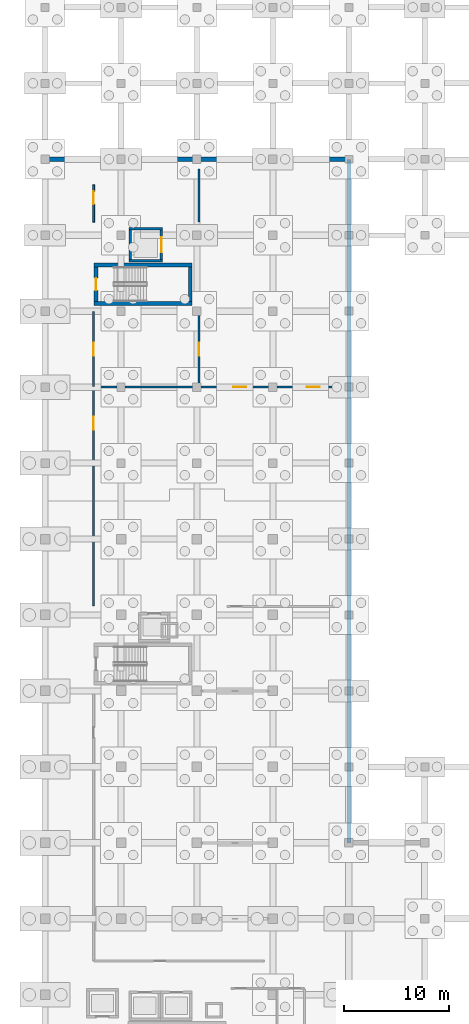
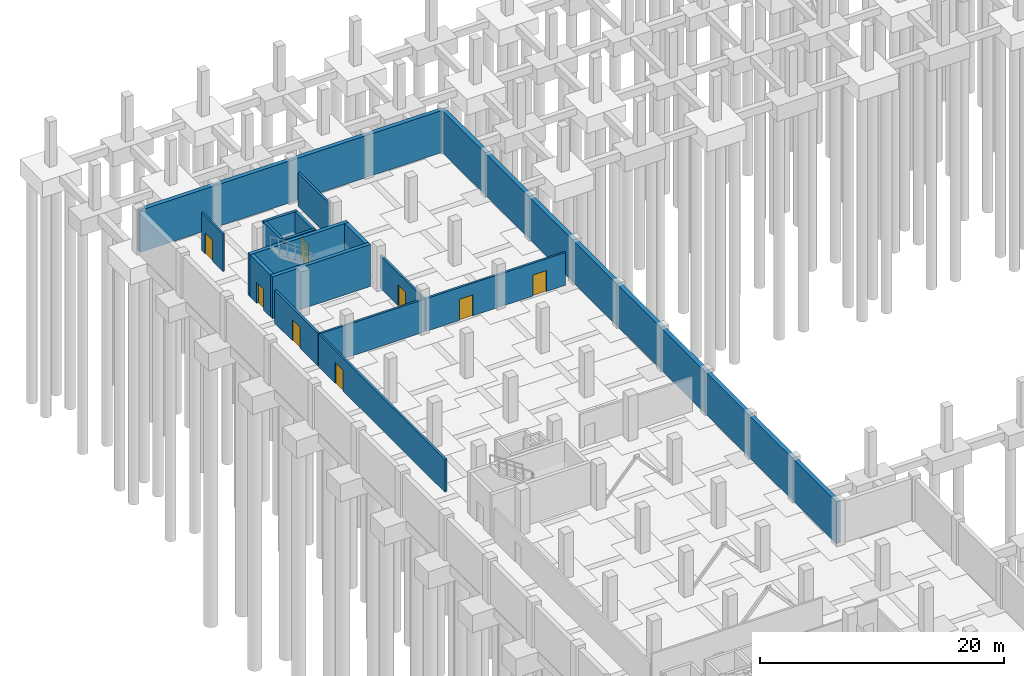
# One storey, part 31 of 36: 17 walls, 8 doors, 8 openings.
"""IFC4 building model written with IfcOpenShell, lengths in metres."""

import ifcopenshell
import ifcopenshell.guid

model = None  # the IFC model being written
_history = None  # IfcOwnerHistory: only IFC2X3 demands one
_inside = {}  # id of a spatial element -> (the spatial element, [elements in it])
_under = {}  # id of a project, library or spatial element -> (it, [spatial elements below it])
_declared = {}  # id of a project -> (the project, [libraries it declares])
_typed = {}  # id of a type object -> (the type object, [elements of that type])
_made_of = {}  # id of a material, layer set ... -> (it, [elements and type objects made of it])


def new_model(schema):
    """Start an empty IFC model of exactly this schema.

    Asked for "IFC4X3", IfcOpenShell would pick the latest addendum, in which some entities
    have other attributes; the version numbers below select the first issue.
    IFC2X3 requires an IfcOwnerHistory on every rooted entity: one is made here for all.
    """
    global model, _history
    if schema == "IFC4X3":
        model = ifcopenshell.file(schema_version=(4, 3, 0, 0))
    else:
        model = ifcopenshell.file(schema=schema)
    _inside.clear()
    _under.clear()
    _declared.clear()
    _typed.clear()
    _made_of.clear()
    _history = None
    if model.schema == "IFC2X3":
        org = make("IfcOrganization", Name="unknown")
        user = make(
            "IfcPersonAndOrganization",
            ThePerson=make("IfcPerson", FamilyName="unknown"),
            TheOrganization=org,
        )
        app = make(
            "IfcApplication",
            ApplicationDeveloper=org,
            Version="unknown",
            ApplicationFullName="unknown",
            ApplicationIdentifier="unknown",
        )
        _history = make(
            "IfcOwnerHistory",
            OwningUser=user,
            OwningApplication=app,
            ChangeAction="ADDED",
            CreationDate=0,
        )
    return model


def make(cls, **values):
    """One entity of the class cls with the attributes given. An attribute that is None is left unset."""
    return model.create_entity(
        cls, **{name: value for name, value in values.items() if value is not None}
    )


def rooted(cls, **values):
    """An entity with a GlobalId (a new one), such as an element, a storey or a relation."""
    return make(cls, GlobalId=ifcopenshell.guid.new(), OwnerHistory=_history, **values)


def si_unit(unit_type, name, prefix=None):
    """IfcSIUnit, for example si_unit("LENGTHUNIT", "METRE", prefix="MILLI")."""
    return make("IfcSIUnit", UnitType=unit_type, Prefix=prefix, Name=name)


def assignment(units):
    """IfcUnitAssignment: the units of a project."""
    return None if units is None else make("IfcUnitAssignment", Units=units)


def point(xyz):
    """IfcCartesianPoint."""
    return None if xyz is None else make("IfcCartesianPoint", Coordinates=xyz)


def direction(xyz):
    """IfcDirection."""
    return None if xyz is None else make("IfcDirection", DirectionRatios=xyz)


def frame(location, z_axis=None, x_axis=None):
    """IfcAxis2Placement3D, a coordinate frame: its origin and axes. An axis left out is left unset."""
    return make(
        "IfcAxis2Placement3D",
        Location=point(location),
        Axis=direction(z_axis),
        RefDirection=direction(x_axis),
    )


def frame_2d(location, x_axis=None):
    """IfcAxis2Placement2D, a coordinate frame in the plane: its origin and x axis."""
    return make(
        "IfcAxis2Placement2D", Location=point(location), RefDirection=direction(x_axis)
    )


def origin():
    """The frame at (0, 0, 0) with its axes left unset."""
    return frame((0.0, 0.0, 0.0))


def place(relative_to, where):
    """IfcLocalPlacement: puts the frame where relative to a parent placement (None: the world)."""
    return make(
        "IfcLocalPlacement", PlacementRelTo=relative_to, RelativePlacement=where
    )


def context(
    kind, dimensions, precision=None, world=None, true_north=None, identifier=None
):
    """IfcGeometricRepresentationContext, for example the 3D "Model" context."""
    return make(
        "IfcGeometricRepresentationContext",
        ContextIdentifier=identifier,
        ContextType=kind,
        CoordinateSpaceDimension=dimensions,
        Precision=precision,
        WorldCoordinateSystem=world,
        TrueNorth=true_north,
    )


def subcontext(parent, identifier, kind, view, scale=None):
    """IfcGeometricRepresentationSubContext, for example "Body" below "Model"."""
    return make(
        "IfcGeometricRepresentationSubContext",
        ContextIdentifier=identifier,
        ContextType=kind,
        ParentContext=parent,
        TargetScale=scale,
        TargetView=view,
    )


def project(units=None, contexts=None):
    """IfcProject with its units and contexts."""
    return rooted(
        "IfcProject",
        Name="project",
        RepresentationContexts=contexts,
        UnitsInContext=assignment(units),
    )


def spatial(cls, under=None, at=None, **own):
    """A site, building, storey or space (cls), placed at a placement, below another one or the project."""
    s = rooted(cls, ObjectPlacement=at, **own)
    if under is not None:
        _under.setdefault(under.id(), (under, []))[1].append(s)
    return s


def profile(cls, at=None, kind="AREA", **sizes):
    """A parametric profile (cls). Its sizes go by their IFC names, for example OverallWidth=200.0."""
    return make(cls, ProfileType=kind, Position=at, **sizes)


def rectangle(**sizes):
    """IfcRectangleProfileDef."""
    return profile("IfcRectangleProfileDef", **sizes)


def extrude(swept, where, along, depth):
    """IfcExtrudedAreaSolid: the profile swept, set in the frame where, extruded along a direction by depth."""
    return make(
        "IfcExtrudedAreaSolid",
        SweptArea=swept,
        Position=where,
        ExtrudedDirection=direction(along),
        Depth=depth,
    )


def shape(context_of_items, identifier, shape_type, items):
    """IfcShapeRepresentation: the items that make up one representation, for example the "Body"."""
    return make(
        "IfcShapeRepresentation",
        ContextOfItems=context_of_items,
        RepresentationIdentifier=identifier,
        RepresentationType=shape_type,
        Items=items,
    )


def material(Name=None, Category=None):
    """IfcMaterial."""
    return make("IfcMaterial", Name=Name, Category=Category)


def layer(
    of_material, thickness, ventilated=None, Name=None, Category=None, Priority=None
):
    """IfcMaterialLayer: one layer of a wall or slab, of a material (None: an air gap)."""
    return make(
        "IfcMaterialLayer",
        Material=of_material,
        LayerThickness=thickness,
        IsVentilated=ventilated,
        Name=Name,
        Category=Category,
        Priority=Priority,
    )


def layer_set(layers, Name=None):
    """IfcMaterialLayerSet."""
    return make("IfcMaterialLayerSet", MaterialLayers=layers, LayerSetName=Name)


def made_of(thing, what):
    """Note that an element or type object is made of a material, layer set ...; save() writes the relation."""
    if what is not None:
        _made_of.setdefault(what.id(), (what, []))[1].append(thing)
    return thing


def type_object(cls, material=None, **own):
    """A type object (cls), such as IfcWallType, which elements share."""
    return made_of(rooted(cls, **own), material)


def element(
    cls,
    number,
    at=None,
    inside=None,
    cuts=None,
    type_object=None,
    material=None,
    context=None,
    identifier="Body",
    shape_type=None,
    held_by="IfcProductDefinitionShape",
    body=None,
    shapes=None,
    **own,
):
    """One element of the class cls, such as IfcWall. Its Tag is "e" and its number.

    at: its placement. inside: the storey or other place that contains it. cuts: it is an
    opening in that element (IfcRelVoidsElement). A single representation is given by context,
    identifier, shape_type and body (its items); several are given by shapes. held_by: the class
    of the entity that holds the representations. save() writes the other relations.
    """
    e = rooted(cls, Tag="e%d" % number, ObjectPlacement=at, **own)
    if body is not None:
        shapes = [shape(context, identifier, shape_type, body)]
    if shapes is not None:
        e.Representation = make(held_by, Representations=shapes)
    if inside is not None:
        _inside.setdefault(inside.id(), (inside, []))[1].append(e)
    if cuts is not None:
        rooted(
            "IfcRelVoidsElement", RelatingBuildingElement=cuts, RelatedOpeningElement=e
        )
    if type_object is not None:
        _typed.setdefault(type_object.id(), (type_object, []))[1].append(e)
    return made_of(e, material)


def fill(opening, filler):
    """IfcRelFillsElement: the door or window that sits in an opening."""
    return rooted(
        "IfcRelFillsElement",
        RelatingOpeningElement=opening,
        RelatedBuildingElement=filler,
    )


def aggregate(whole, parts):
    """IfcRelAggregates: a whole, such as a stair, and the parts it consists of."""
    return rooted("IfcRelAggregates", RelatingObject=whole, RelatedObjects=parts)


def save(model, path):
    """Write the relations noted so far, then the file.

    IfcRelAggregates (storeys below a building ...), IfcRelContainedInSpatialStructure (elements
    in a storey), IfcRelDefinesByType, IfcRelAssociatesMaterial and IfcRelDeclares: one each for
    every whole, place, type object, material and project.
    """
    for whole, parts in _under.values():
        aggregate(whole, parts)
    for where, things in _inside.values():
        rooted(
            "IfcRelContainedInSpatialStructure",
            RelatedElements=things,
            RelatingStructure=where,
        )
    for kind, things in _typed.values():
        rooted("IfcRelDefinesByType", RelatedObjects=things, RelatingType=kind)
    for what, things in _made_of.values():
        rooted("IfcRelAssociatesMaterial", RelatedObjects=things, RelatingMaterial=what)
    for by, libraries in _declared.values():
        rooted("IfcRelDeclares", RelatingContext=by, RelatedDefinitions=libraries)
    model.write(path)


model = new_model("IFC4")

# Units and contexts
model_context = context("Model", 3, precision=1e-05, world=origin(), true_north=direction((0.0, 1.0)))
body_context = subcontext(model_context, "Body", "Model", "MODEL_VIEW")
ifc_project = project(units=[si_unit("LENGTHUNIT", "METRE"), si_unit("AREAUNIT", "SQUARE_METRE"), si_unit("VOLUMEUNIT", "CUBIC_METRE"), si_unit("PLANEANGLEUNIT", "RADIAN"), si_unit("MASSUNIT", "GRAM", prefix="KILO")], contexts=[model_context])

# Site, building, storey
site_placement = place(None, origin())
site = spatial("IfcSite", under=ifc_project, at=site_placement, CompositionType="ELEMENT")
building_placement = place(site_placement, origin())
building = spatial("IfcBuilding", under=site, at=building_placement, Name="Kalmorath City Hall", CompositionType="ELEMENT")
storey_placement = place(building_placement, frame((0.0, 0.0, -4.5)))
storey = spatial("IfcBuildingStorey", under=building, at=storey_placement, Name="B1", CompositionType="ELEMENT", Elevation=-4.5)

# Walls
ifc_material_1 = material(Name="Concrete C40/50", Category="concrete")
ifc_layer_1 = layer(ifc_material_1, 0.39990234375)
ifc_layer_set_1 = layer_set([ifc_layer_1], Name="Concrete C40/50")
wall_type_1 = type_object("IfcWallType", Name="Concrete basement retaining wall 400", PredefinedType="USERDEFINED", material=ifc_layer_set_1)
wall_1_placement = place(storey_placement, frame((28.800048828125, 36.0, 0.0), z_axis=(0.0, 0.0, 1.0), x_axis=(0.0, 1.0, 0.0)))
element("IfcWall", 1, at=wall_1_placement, inside=storey, type_object=wall_type_1, Name="B1 retaining wall RW1-4", ObjectType="RETAININGWALL", PredefinedType="USERDEFINED", context=body_context, shape_type="SweptSolid", body=[
    extrude(rectangle(XDim=64.800048828125, YDim=0.39990234375, at=frame_2d((32.39990234375, 0.0))), origin(), (0.0, 0.0, 1.0), 4.199951171875),
])
wall_2_placement = place(storey_placement, frame((28.800048828125, 100.800048828125, 0.0), z_axis=(0.0, 0.0, 1.0), x_axis=(-1.0, 0.0, 0.0)))
element("IfcWall", 2, at=wall_2_placement, inside=storey, type_object=wall_type_1, Name="B1 retaining wall RW1-5", ObjectType="RETAININGWALL", PredefinedType="USERDEFINED", context=body_context, shape_type="SweptSolid", body=[
    extrude(rectangle(XDim=28.800048828125, YDim=0.39990234375, at=frame_2d((14.39990234375, 0.0))), origin(), (0.0, 0.0, 1.0), 4.199951171875),
])
ifc_material_2 = material(Name="Concrete C50/60", Category="concrete")
ifc_layer_2 = layer(ifc_material_2, 0.35009765625)
ifc_layer_set_2 = layer_set([ifc_layer_2], Name="Concrete C50/60")
wall_type_2 = type_object("IfcWallType", Name="Concrete core shear wall 350", PredefinedType="SHEAR", material=ifc_layer_set_2)
for number, where, z_axis, x_axis, name in (
    (3, (4.64990234375, 87.125, 0.0), (0.0, 0.0, 1.0), (1.0, 0.0, 0.0), "B1 C4 stair core shear wall S"),
    (4, (13.949951171875, 90.77490234375, 0.0), (0.0, 0.0, 1.0), (-1.0, 0.0, 0.0), "B1 C4 stair core shear wall N"),
):
    element("IfcWall", number, at=place(storey_placement, frame(where, z_axis=z_axis, x_axis=x_axis)), inside=storey, type_object=wall_type_2, Name=name, PredefinedType="SHEAR", context=body_context, shape_type="SweptSolid", body=[
        extrude(rectangle(XDim=9.300048828125, YDim=0.35009765625, at=frame_2d((4.64990234375, 0.0))), origin(), (0.0, 0.0, 1.0), 4.199951171875),
    ])

# Wall, opening, door
wall_3_placement = place(storey_placement, frame((4.824951171875, 90.60009765625, 0.0), z_axis=(0.0, 0.0, 1.0), x_axis=(0.0, -1.0, 0.0)))
wall_3 = element("IfcWall", 5, at=wall_3_placement, inside=storey, type_object=wall_type_2, Name="B1 C4 stair core shear wall W", PredefinedType="SHEAR", context=body_context, shape_type="SweptSolid", body=[
    extrude(rectangle(XDim=3.300048828125, YDim=0.35009765625, at=frame_2d((1.64990234375, 0.0))), origin(), (0.0, 0.0, 1.0), 4.199951171875),
])
opening_1_placement = place(wall_3_placement, frame((1.074951171875, 0.0, 0.0)))
opening_1 = element("IfcOpeningElement", 6, at=opening_1_placement, cuts=wall_3, Name="Opening D-B1-079", PredefinedType="OPENING", context=body_context, shape_type="SweptSolid", body=[
    extrude(rectangle(XDim=1.14990234375, YDim=2.10009765625, at=frame_2d((0.574951171875, 1.050048828125))), frame((0.0, 0.18505859375, 0.0), z_axis=(0.0, -1.0, 0.0), x_axis=(1.0, 0.0, 0.0)), (0.0, 0.0, 1.0), 0.3701171875),
])
ifc_material_3 = material(Name="Galvanised steel fire door", Category="steel")
door_type_1 = type_object("IfcDoorType", Name="Stair enclosure 90-min fire door 1150x2100", OperationType="NOTDEFINED", PredefinedType="DOOR", material=ifc_material_3)
door_1_placement = place(opening_1_placement, frame((1.14990234375, 0.0, 0.0), z_axis=(0.0, 0.0, 1.0), x_axis=(-1.0, 0.0, 0.0)))
door_1 = element("IfcDoor", 7, at=door_1_placement, inside=storey, type_object=door_type_1, Name="B1 door D-B1-079", OperationType="SINGLE_SWING_LEFT", OverallHeight=2.10009765625, OverallWidth=1.14990234375, PredefinedType="DOOR", context=body_context, shape_type="SweptSolid", body=[
    extrude(rectangle(XDim=1.14990234375, YDim=2.10009765625, at=frame_2d((0.574951171875, 1.050048828125))), frame((0.0, 0.02490234375, 0.0), z_axis=(0.0, -1.0, 0.0), x_axis=(1.0, 0.0, 0.0)), (0.0, 0.0, 1.0), 0.050048828125),
])
fill(opening_1, door_1)

# Walls
wall_4_placement = place(storey_placement, frame((13.77490234375, 87.300048828125, 0.0), z_axis=(0.0, 0.0, 1.0), x_axis=(0.0, 1.0, 0.0)))
element("IfcWall", 8, at=wall_4_placement, inside=storey, type_object=wall_type_2, Name="B1 C4 stair core shear wall E", PredefinedType="SHEAR", context=body_context, shape_type="SweptSolid", body=[
    extrude(rectangle(XDim=3.300048828125, YDim=0.35009765625, at=frame_2d((1.64990234375, 0.0))), origin(), (0.0, 0.0, 1.0), 4.199951171875),
])
ifc_material_4 = material(Name="Concrete C50/60", Category="concrete")
ifc_layer_3 = layer(ifc_material_4, 0.25)
ifc_layer_set_3 = layer_set([ifc_layer_3], Name="Concrete C50/60")
wall_type_3 = type_object("IfcWallType", Name="Concrete lift shaft wall 250", PredefinedType="SHEAR", material=ifc_layer_set_3)
for number, where, z_axis, x_axis, name in (
    (9, (7.949951171875, 91.175048828125, 0.0), (0.0, 0.0, 1.0), (1.0, 0.0, 0.0), "B1 SL1 lift shaft wall -y"),
    (10, (11.14990234375, 94.22509765625, 0.0), (0.0, 0.0, 1.0), (-1.0, 0.0, 0.0), "B1 SL1 lift shaft wall +y"),
):
    element("IfcWall", number, at=place(storey_placement, frame(where, z_axis=z_axis, x_axis=x_axis)), inside=storey, type_object=wall_type_3, Name=name, PredefinedType="SHEAR", context=body_context, shape_type="SweptSolid", body=[
        extrude(rectangle(XDim=3.199951171875, YDim=0.25, at=frame_2d((1.60009765625, 0.0))), origin(), (0.0, 0.0, 1.0), 4.199951171875),
    ])
wall_5_placement = place(storey_placement, frame((8.074951171875, 94.10009765625, 0.0), z_axis=(0.0, 0.0, 1.0), x_axis=(0.0, -1.0, 0.0)))
element("IfcWall", 11, at=wall_5_placement, inside=storey, type_object=wall_type_3, Name="B1 SL1 lift shaft wall -x", PredefinedType="SHEAR", context=body_context, shape_type="SweptSolid", body=[
    extrude(rectangle(XDim=2.800048828125, YDim=0.25, at=frame_2d((1.39990234375, 0.0))), origin(), (0.0, 0.0, 1.0), 4.199951171875),
])

# Wall, opening, door
wall_6_placement = place(storey_placement, frame((11.02490234375, 91.300048828125, 0.0), z_axis=(0.0, 0.0, 1.0), x_axis=(0.0, 1.0, 0.0)))
wall_6 = element("IfcWall", 12, at=wall_6_placement, inside=storey, type_object=wall_type_3, Name="B1 SL1 lift shaft wall +x", PredefinedType="SHEAR", context=body_context, shape_type="SweptSolid", body=[
    extrude(rectangle(XDim=2.800048828125, YDim=0.25, at=frame_2d((1.39990234375, 0.0))), origin(), (0.0, 0.0, 1.0), 4.199951171875),
])
opening_2_placement = place(wall_6_placement, frame((0.699951171875, 0.0, 0.0)))
opening_2 = element("IfcOpeningElement", 13, at=opening_2_placement, cuts=wall_6, Name="Opening LD-085", PredefinedType="OPENING", context=body_context, shape_type="SweptSolid", body=[
    extrude(rectangle(XDim=1.39990234375, YDim=2.14990234375, at=frame_2d((0.699951171875, 1.074951171875))), frame((0.0, 0.135009765625, 0.0), z_axis=(0.0, -1.0, 0.0), x_axis=(1.0, 0.0, 0.0)), (0.0, 0.0, 1.0), 0.27001953125),
])
ifc_material_5 = material(Name="Stainless steel sliding landing door", Category="steel")
door_type_2 = type_object("IfcDoorType", Name="Goods lift sliding landing door 1400x2150", OperationType="SLIDING_TO_LEFT", PredefinedType="DOOR", material=ifc_material_5)
door_2_placement = place(opening_2_placement, origin())
door_2 = element("IfcDoor", 14, at=door_2_placement, inside=storey, type_object=door_type_2, Name="B1 door LD-085", OperationType="SLIDING_TO_LEFT", OverallHeight=2.14990234375, OverallWidth=1.39990234375, PredefinedType="DOOR", context=body_context, shape_type="SweptSolid", body=[
    extrude(rectangle(XDim=1.39990234375, YDim=2.14990234375, at=frame_2d((0.699951171875, 1.074951171875))), frame((0.0, 0.02490234375, 0.0), z_axis=(0.0, -1.0, 0.0), x_axis=(1.0, 0.0, 0.0)), (0.0, 0.0, 1.0), 0.050048828125),
])
fill(opening_2, door_2)

ifc_material_6 = material(Name="Fire-rated acoustic gypsum partition")
ifc_layer_4 = layer(ifc_material_6, 0.179931640625)
ifc_layer_set_4 = layer_set([ifc_layer_4], Name="Fire-rated acoustic gypsum partition")
wall_type_4 = type_object("IfcWallType", Name="One-hour corridor fire partition 180", PredefinedType="PARTITIONING", material=ifc_layer_set_4)
wall_7_placement = place(storey_placement, frame((4.60009765625, 94.840087890625, 0.0), z_axis=(0.0, 0.0, 1.0), x_axis=(0.0, 1.0, 0.0)))
wall_7 = element("IfcWall", 15, at=wall_7_placement, inside=storey, type_object=wall_type_4, Name="B1 interior partition PW2 #4", PredefinedType="PARTITIONING", context=body_context, shape_type="SweptSolid", body=[
    extrude(rectangle(XDim=3.52001953125, YDim=0.179931640625, at=frame_2d((1.760009765625, 0.0))), origin(), (0.0, 0.0, 1.0), 3.763916015625),
])
opening_3_placement = place(wall_7_placement, frame((1.671142578125, 0.0, 0.0)))
opening_3 = element("IfcOpeningElement", 16, at=opening_3_placement, cuts=wall_7, Name="Opening D-B1-118", PredefinedType="OPENING", context=body_context, shape_type="SweptSolid", body=[
    extrude(rectangle(XDim=1.25, YDim=2.10009765625, at=frame_2d((0.625, 1.050048828125))), frame((0.0, 0.099853515625, 0.0), z_axis=(0.0, -1.0, 0.0), x_axis=(1.0, 0.0, 0.0)), (0.0, 0.0, 1.0), 0.199951171875),
])
ifc_material_7 = material(Name="Galvanised steel fire door", Category="steel")
door_type_3 = type_object("IfcDoorType", Name="Plant and archive 90-min fire door 1250x2100", OperationType="NOTDEFINED", PredefinedType="DOOR", material=ifc_material_7)
door_3_placement = place(opening_3_placement, origin())
door_3 = element("IfcDoor", 17, at=door_3_placement, inside=storey, type_object=door_type_3, Name="B1 door D-B1-118", OperationType="SINGLE_SWING_RIGHT", OverallHeight=2.10009765625, OverallWidth=1.25, PredefinedType="DOOR", context=body_context, shape_type="SweptSolid", body=[
    extrude(rectangle(XDim=1.25, YDim=2.10009765625, at=frame_2d((0.625, 1.050048828125))), frame((0.0, 0.02490234375, 0.0), z_axis=(0.0, -1.0, 0.0), x_axis=(1.0, 0.0, 0.0)), (0.0, 0.0, 1.0), 0.050048828125),
])
fill(opening_3, door_3)

ifc_material_8 = material(Name="Gypsum fire-rated shaftliner partition")
ifc_layer_5 = layer(ifc_material_8, 0.199951171875)
ifc_layer_set_5 = layer_set([ifc_layer_5], Name="Gypsum fire-rated shaftliner partition")
wall_type_5 = type_object("IfcWallType", Name="Two-hour fire barrier partition 200", PredefinedType="PARTITIONING", material=ifc_layer_set_5)
wall_8_placement = place(storey_placement, frame((4.60009765625, 58.43994140625, 0.0), z_axis=(0.0, 0.0, 1.0), x_axis=(0.0, 1.0, 0.0)))
wall_8 = element("IfcWall", 18, at=wall_8_placement, inside=storey, type_object=wall_type_5, Name="B1 interior partition PW1 #2", PredefinedType="PARTITIONING", context=body_context, shape_type="SweptSolid", body=[
    extrude(rectangle(XDim=20.719970703125, YDim=0.199951171875, at=frame_2d((10.35986328125, 0.0))), origin(), (0.0, 0.0, 1.0), 3.281005859375),
])
opening_4_placement = place(wall_8_placement, frame((16.72119140625, 0.0, 0.0)))
opening_4 = element("IfcOpeningElement", 19, at=opening_4_placement, cuts=wall_8, Name="Opening D-B1-113", PredefinedType="OPENING", context=body_context, shape_type="SweptSolid", body=[
    extrude(rectangle(XDim=1.25, YDim=2.10009765625, at=frame_2d((0.625, 1.050048828125))), frame((0.0, 0.10986328125, 0.0), z_axis=(0.0, -1.0, 0.0), x_axis=(1.0, 0.0, 0.0)), (0.0, 0.0, 1.0), 0.219970703125),
])
door_4_placement = place(opening_4_placement, origin())
door_4 = element("IfcDoor", 20, at=door_4_placement, inside=storey, type_object=door_type_3, Name="B1 door D-B1-113", OperationType="SINGLE_SWING_LEFT", OverallHeight=2.10009765625, OverallWidth=1.25, PredefinedType="DOOR", context=body_context, shape_type="SweptSolid", body=[
    extrude(rectangle(XDim=1.25, YDim=2.10009765625, at=frame_2d((0.625, 1.050048828125))), frame((0.0, 0.02490234375, 0.0), z_axis=(0.0, -1.0, 0.0), x_axis=(1.0, 0.0, 0.0)), (0.0, 0.0, 1.0), 0.050048828125),
])
fill(opening_4, door_4)

wall_9_placement = place(storey_placement, frame((4.60009765625, 79.239990234375, 0.0), z_axis=(0.0, 0.0, 1.0), x_axis=(0.0, 1.0, 0.0)))
wall_9 = element("IfcWall", 21, at=wall_9_placement, inside=storey, type_object=wall_type_5, Name="B1 interior partition PW1 #3", PredefinedType="PARTITIONING", context=body_context, shape_type="SweptSolid", body=[
    extrude(rectangle(XDim=7.1201171875, YDim=0.199951171875, at=frame_2d((3.56005859375, 0.0))), origin(), (0.0, 0.0, 1.0), 3.281005859375),
])
opening_5_placement = place(wall_9_placement, frame((2.93505859375, 0.0, 0.0)))
opening_5 = element("IfcOpeningElement", 22, at=opening_5_placement, cuts=wall_9, Name="Opening D-B1-117", PredefinedType="OPENING", context=body_context, shape_type="SweptSolid", body=[
    extrude(rectangle(XDim=1.25, YDim=2.10009765625, at=frame_2d((0.625, 1.050048828125))), frame((0.0, 0.10986328125, 0.0), z_axis=(0.0, -1.0, 0.0), x_axis=(1.0, 0.0, 0.0)), (0.0, 0.0, 1.0), 0.219970703125),
])
door_5_placement = place(opening_5_placement, origin())
door_5 = element("IfcDoor", 23, at=door_5_placement, inside=storey, type_object=door_type_3, Name="B1 door D-B1-117", OperationType="SINGLE_SWING_LEFT", OverallHeight=2.10009765625, OverallWidth=1.25, PredefinedType="DOOR", context=body_context, shape_type="SweptSolid", body=[
    extrude(rectangle(XDim=1.25, YDim=2.10009765625, at=frame_2d((0.625, 1.050048828125))), frame((0.0, 0.02490234375, 0.0), z_axis=(0.0, -1.0, 0.0), x_axis=(1.0, 0.0, 0.0)), (0.0, 0.0, 1.0), 0.050048828125),
])
fill(opening_5, door_5)

# Wall, openings, doors
wall_10_placement = place(storey_placement, frame((14.639892578125, 79.199951171875, 0.0), z_axis=(0.0, 0.0, 1.0), x_axis=(1.0, 0.0, 0.0)))
wall_10 = element("IfcWall", 24, at=wall_10_placement, inside=storey, type_object=wall_type_5, Name="B1 interior partition PW1 #12", PredefinedType="PARTITIONING", context=body_context, shape_type="SweptSolid", body=[
    extrude(rectangle(XDim=13.22021484375, YDim=0.199951171875, at=frame_2d((6.610107421875, 0.0))), origin(), (0.0, 0.0, 1.0), 3.281005859375),
])
opening_6_placement = place(wall_10_placement, frame((10.15869140625, 0.0, 0.0)))
opening_6 = element("IfcOpeningElement", 25, at=opening_6_placement, cuts=wall_10, Name="Opening D-B1-114", PredefinedType="OPENING", context=body_context, shape_type="SweptSolid", body=[
    extrude(rectangle(XDim=1.25, YDim=2.10009765625, at=frame_2d((0.625, 1.050048828125))), frame((0.0, 0.10986328125, 0.0), z_axis=(0.0, -1.0, 0.0), x_axis=(1.0, 0.0, 0.0)), (0.0, 0.0, 1.0), 0.219970703125),
])
opening_7_placement = place(wall_10_placement, frame((3.202392578125, 0.0, 0.0)))
opening_7 = element("IfcOpeningElement", 26, at=opening_7_placement, cuts=wall_10, Name="Opening D-B1-115", PredefinedType="OPENING", context=body_context, shape_type="SweptSolid", body=[
    extrude(rectangle(XDim=1.25, YDim=2.10009765625, at=frame_2d((0.625, 1.050048828125))), frame((0.0, 0.10986328125, 0.0), z_axis=(0.0, -1.0, 0.0), x_axis=(1.0, 0.0, 0.0)), (0.0, 0.0, 1.0), 0.219970703125),
])
door_6_placement = place(opening_6_placement, origin())
door_6 = element("IfcDoor", 27, at=door_6_placement, inside=storey, type_object=door_type_3, Name="B1 door D-B1-114", OperationType="SINGLE_SWING_RIGHT", OverallHeight=2.10009765625, OverallWidth=1.25, PredefinedType="DOOR", context=body_context, shape_type="SweptSolid", body=[
    extrude(rectangle(XDim=1.25, YDim=2.10009765625, at=frame_2d((0.625, 1.050048828125))), frame((0.0, 0.02490234375, 0.0), z_axis=(0.0, -1.0, 0.0), x_axis=(1.0, 0.0, 0.0)), (0.0, 0.0, 1.0), 0.050048828125),
])
fill(opening_6, door_6)
door_7_placement = place(opening_7_placement, origin())
door_7 = element("IfcDoor", 28, at=door_7_placement, inside=storey, type_object=door_type_3, Name="B1 door D-B1-115", OperationType="SINGLE_SWING_LEFT", OverallHeight=2.10009765625, OverallWidth=1.25, PredefinedType="DOOR", context=body_context, shape_type="SweptSolid", body=[
    extrude(rectangle(XDim=1.25, YDim=2.10009765625, at=frame_2d((0.625, 1.050048828125))), frame((0.0, 0.02490234375, 0.0), z_axis=(0.0, -1.0, 0.0), x_axis=(1.0, 0.0, 0.0)), (0.0, 0.0, 1.0), 0.050048828125),
])
fill(opening_7, door_7)

# Wall
wall_11_placement = place(storey_placement, frame((4.639892578125, 79.199951171875, 0.0), z_axis=(0.0, 0.0, 1.0), x_axis=(1.0, 0.0, 0.0)))
element("IfcWall", 29, at=wall_11_placement, inside=storey, type_object=wall_type_5, Name="B1 interior partition PW1 #13", PredefinedType="PARTITIONING", context=body_context, shape_type="SweptSolid", body=[
    extrude(rectangle(XDim=9.920166015625, YDim=0.199951171875, at=frame_2d((4.9599609375, 0.0))), origin(), (0.0, 0.0, 1.0), 3.281005859375),
])

# Wall, opening, door
wall_12_placement = place(storey_placement, frame((14.60009765625, 79.239990234375, 0.0), z_axis=(0.0, 0.0, 1.0), x_axis=(0.0, 1.0, 0.0)))
wall_12 = element("IfcWall", 30, at=wall_12_placement, inside=storey, type_object=wall_type_5, Name="B1 interior partition PW1 #14", PredefinedType="PARTITIONING", context=body_context, shape_type="SweptSolid", body=[
    extrude(rectangle(XDim=7.1201171875, YDim=0.199951171875, at=frame_2d((3.56005859375, 0.0))), origin(), (0.0, 0.0, 1.0), 3.281005859375),
])
opening_8_placement = place(wall_12_placement, frame((2.93505859375, 0.0, 0.0)))
opening_8 = element("IfcOpeningElement", 31, at=opening_8_placement, cuts=wall_12, Name="Opening D-B1-116", PredefinedType="OPENING", context=body_context, shape_type="SweptSolid", body=[
    extrude(rectangle(XDim=1.25, YDim=2.10009765625, at=frame_2d((0.625, 1.050048828125))), frame((0.0, 0.10986328125, 0.0), z_axis=(0.0, -1.0, 0.0), x_axis=(1.0, 0.0, 0.0)), (0.0, 0.0, 1.0), 0.219970703125),
])
door_8_placement = place(opening_8_placement, origin())
door_8 = element("IfcDoor", 32, at=door_8_placement, inside=storey, type_object=door_type_3, Name="B1 door D-B1-116", OperationType="SINGLE_SWING_RIGHT", OverallHeight=2.10009765625, OverallWidth=1.25, PredefinedType="DOOR", context=body_context, shape_type="SweptSolid", body=[
    extrude(rectangle(XDim=1.25, YDim=2.10009765625, at=frame_2d((0.625, 1.050048828125))), frame((0.0, 0.02490234375, 0.0), z_axis=(0.0, -1.0, 0.0), x_axis=(1.0, 0.0, 0.0)), (0.0, 0.0, 1.0), 0.050048828125),
])
fill(opening_8, door_8)

# Wall
wall_13_placement = place(storey_placement, frame((14.60009765625, 94.840087890625, 0.0), z_axis=(0.0, 0.0, 1.0), x_axis=(0.0, 1.0, 0.0)))
element("IfcWall", 33, at=wall_13_placement, inside=storey, type_object=wall_type_5, Name="B1 interior partition PW1 #15", PredefinedType="PARTITIONING", context=body_context, shape_type="SweptSolid", body=[
    extrude(rectangle(XDim=5.02001953125, YDim=0.199951171875, at=frame_2d((2.510009765625, 0.0))), origin(), (0.0, 0.0, 1.0), 3.381103515625),
])

save(model, "model.ifc")
